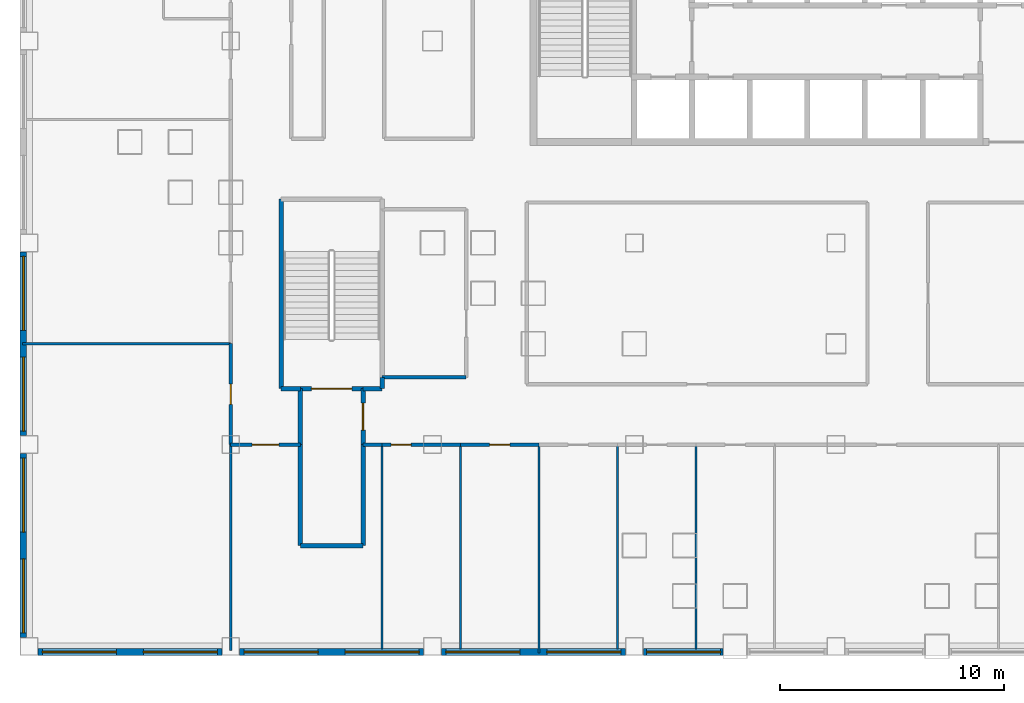
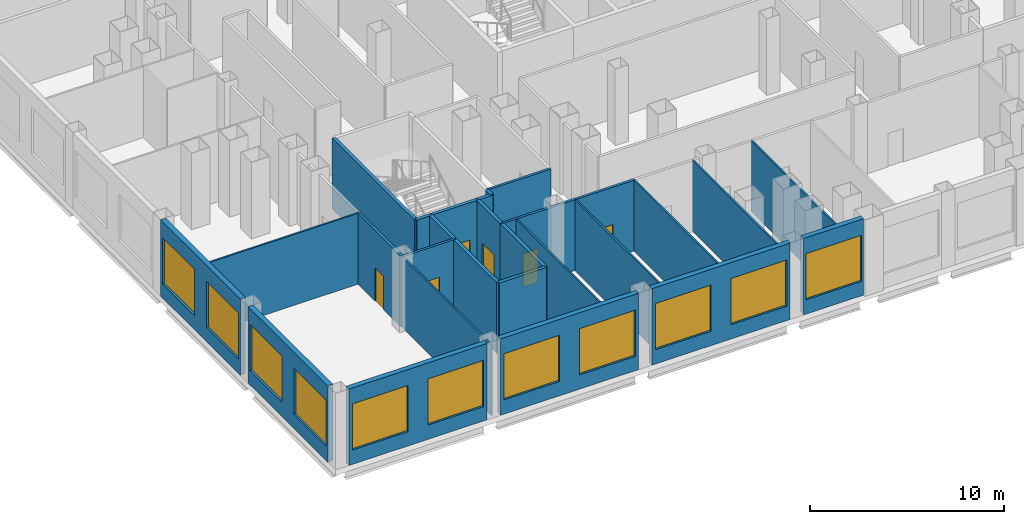
# One storey, part 2 of 23: 29 walls, 11 windows, 6 doors, 17 openings.
"""IFC4 building model written with IfcOpenShell, lengths in metres."""

from ifc_helpers import new_model, si_unit, direction, frame, frame_2d, origin, place, context, subcontext, project, spatial, rectangle, extrude, material, layer, layer_set, type_object, element, fill, save


model = new_model("IFC4")

# Units and contexts
model_context = context("Model", 3, precision=1e-05, world=origin(), true_north=direction((0.0, 1.0)))
body_context = subcontext(model_context, "Body", "Model", "MODEL_VIEW")
ifc_project = project(units=[si_unit("LENGTHUNIT", "METRE"), si_unit("AREAUNIT", "SQUARE_METRE"), si_unit("VOLUMEUNIT", "CUBIC_METRE"), si_unit("PLANEANGLEUNIT", "RADIAN"), si_unit("MASSUNIT", "GRAM", prefix="KILO")], contexts=[model_context])

# Site, building, storey
site_placement = place(None, origin())
site = spatial("IfcSite", under=ifc_project, at=site_placement, CompositionType="ELEMENT")
building_placement = place(site_placement, origin())
building = spatial("IfcBuilding", under=site, at=building_placement, Name="Caravel Reach Hotel and Residences", CompositionType="ELEMENT")
storey_placement = place(building_placement, frame((0.0, 0.0, 24.0)))
storey = spatial("IfcBuildingStorey", under=building, at=storey_placement, Name="L04", CompositionType="ELEMENT", Elevation=24.0)

# Wall
ifc_material_1 = material(Name="Autoclaved aerated block wall")
ifc_layer_1 = layer(ifc_material_1, 0.199951171875)
ifc_layer_set_1 = layer_set([ifc_layer_1], Name="Compartment wall 200 mm EI 120")
wall_type_1 = type_object("IfcWallType", Name="Compartment wall 200 mm EI 120", PredefinedType="PARTITIONING", material=ifc_layer_set_1)
wall_1_placement = place(storey_placement, frame((7.60009765625, 4.5, 0.0), z_axis=(0.0, 0.0, 1.0), x_axis=(1.0, 0.0, 0.0)))
element("IfcWall", 1, at=wall_1_placement, inside=storey, type_object=wall_type_1, Name="L04 wall w100", PredefinedType="PARTITIONING", context=body_context, shape_type="SweptSolid", body=[
    extrude(rectangle(XDim=2.7998046875, YDim=0.199951171875, at=frame_2d((1.39990234375, 0.0))), origin(), (0.0, 0.0, 1.0), 4.449951171875),
])

# Wall, opening, door
wall_2_placement = place(storey_placement, frame((10.39990234375, 9.0, 0.0), z_axis=(0.0, 0.0, 1.0), x_axis=(0.0, 1.0, 0.0)))
wall_2 = element("IfcWall", 2, at=wall_2_placement, inside=storey, type_object=wall_type_1, Name="L04 wall w111", PredefinedType="PARTITIONING", context=body_context, shape_type="SweptSolid", body=[
    extrude(rectangle(XDim=2.5, YDim=0.199951171875, at=frame_2d((1.25, 0.0))), origin(), (0.0, 0.0, 1.0), 4.449951171875),
])
opening_1_placement = place(wall_2_placement, frame((0.64990234375, 0.0, 0.0)))
opening_1 = element("IfcOpeningElement", 3, at=opening_1_placement, cuts=wall_2, Name="Opening D04-018", PredefinedType="OPENING", context=body_context, shape_type="SweptSolid", body=[
    extrude(rectangle(XDim=1.199951171875, YDim=2.10009765625, at=frame_2d((0.60009765625, 1.050048828125))), frame((0.0, 0.10986328125, 0.0), z_axis=(0.0, -1.0, 0.0), x_axis=(1.0, 0.0, 0.0)), (0.0, 0.0, 1.0), 0.219970703125),
])
ifc_material_2 = material(Name="Steel fire door leaf", Category="steel")
door_type_1 = type_object("IfcDoorType", Name="Fire lobby door 1200 x 2100 EI 90", OperationType="SINGLE_SWING_LEFT", PredefinedType="DOOR", material=ifc_material_2)
door_1_placement = place(opening_1_placement, origin())
door_1 = element("IfcDoor", 4, at=door_1_placement, inside=storey, type_object=door_type_1, Name="door D04-018", OperationType="SINGLE_SWING_LEFT", OverallHeight=2.10009765625, OverallWidth=1.199951171875, PredefinedType="DOOR", context=body_context, shape_type="SweptSolid", body=[
    extrude(rectangle(XDim=1.199951171875, YDim=2.10009765625, at=frame_2d((0.60009765625, 1.050048828125))), frame((0.0, 0.02490234375, 0.0), z_axis=(0.0, -1.0, 0.0), x_axis=(1.0, 0.0, 0.0)), (0.0, 0.0, 1.0), 0.050048828125),
])
fill(opening_1, door_1)

# Walls
wall_3_placement = place(storey_placement, frame((10.39990234375, 4.5, 0.0), z_axis=(0.0, 0.0, 1.0), x_axis=(0.0, 1.0, 0.0)))
element("IfcWall", 5, at=wall_3_placement, inside=storey, type_object=wall_type_1, Name="L04 wall w112", PredefinedType="PARTITIONING", context=body_context, shape_type="SweptSolid", body=[
    extrude(rectangle(XDim=4.5, YDim=0.199951171875, at=frame_2d((2.25, 0.0))), origin(), (0.0, 0.0, 1.0), 4.449951171875),
])
wall_4_placement = place(storey_placement, frame((7.60009765625, 9.0, 0.0), z_axis=(0.0, 0.0, 1.0), x_axis=(0.0, 1.0, 0.0)))
element("IfcWall", 6, at=wall_4_placement, inside=storey, type_object=wall_type_1, Name="L04 wall w129", PredefinedType="PARTITIONING", context=body_context, shape_type="SweptSolid", body=[
    extrude(rectangle(XDim=2.5, YDim=0.199951171875, at=frame_2d((1.25, 0.0))), origin(), (0.0, 0.0, 1.0), 4.449951171875),
])
wall_5_placement = place(storey_placement, frame((7.60009765625, 4.5, 0.0), z_axis=(0.0, 0.0, 1.0), x_axis=(0.0, 1.0, 0.0)))
element("IfcWall", 7, at=wall_5_placement, inside=storey, type_object=wall_type_1, Name="L04 wall w130", PredefinedType="PARTITIONING", context=body_context, shape_type="SweptSolid", body=[
    extrude(rectangle(XDim=4.5, YDim=0.199951171875, at=frame_2d((2.25, 0.0))), origin(), (0.0, 0.0, 1.0), 4.449951171875),
])
ifc_material_3 = material(Name="Gypsum board on steel stud, fire-rated", Category="steel")
ifc_layer_2 = layer(ifc_material_3, 0.14990234375)
ifc_layer_set_2 = layer_set([ifc_layer_2], Name="Corridor wall 150 mm EI 60")
wall_type_2 = type_object("IfcWallType", Name="Corridor wall 150 mm EI 60", PredefinedType="PARTITIONING", material=ifc_layer_set_2)
wall_6_placement = place(storey_placement, frame((11.25, 12.0, 0.0), z_axis=(0.0, 0.0, 1.0), x_axis=(1.0, 0.0, 0.0)))
element("IfcWall", 8, at=wall_6_placement, inside=storey, type_object=wall_type_2, Name="L04 wall w003", PredefinedType="PARTITIONING", context=body_context, shape_type="SweptSolid", body=[
    extrude(rectangle(XDim=3.75, YDim=0.14990234375, at=frame_2d((1.875, 0.0))), origin(), (0.0, 0.0, 1.0), 4.449951171875),
])

# Wall, opening, door
wall_7_placement = place(storey_placement, frame((4.5, 9.0, 0.0), z_axis=(0.0, 0.0, 1.0), x_axis=(1.0, 0.0, 0.0)))
wall_7 = element("IfcWall", 9, at=wall_7_placement, inside=storey, type_object=wall_type_2, Name="L04 wall w022", PredefinedType="PARTITIONING", context=body_context, shape_type="SweptSolid", body=[
    extrude(rectangle(XDim=3.10009765625, YDim=0.14990234375, at=frame_2d((1.550048828125, 0.0))), origin(), (0.0, 0.0, 1.0), 4.449951171875),
])
opening_2_placement = place(wall_7_placement, frame((0.949951171875, 0.0, 0.0)))
opening_2 = element("IfcOpeningElement", 10, at=opening_2_placement, cuts=wall_7, Name="Opening D04-040", PredefinedType="OPENING", context=body_context, shape_type="SweptSolid", body=[
    extrude(rectangle(XDim=1.199951171875, YDim=2.39990234375, at=frame_2d((0.60009765625, 1.199951171875))), frame((0.0, 0.0849609375, 0.0), z_axis=(0.0, -1.0, 0.0), x_axis=(1.0, 0.0, 0.0)), (0.0, 0.0, 1.0), 0.169921875),
])
ifc_material_4 = material(Name="Timber and steel door leaf", Category="steel")
door_type_2 = type_object("IfcDoorType", Name="Glazed door 1200 x 2400", OperationType="SINGLE_SWING_LEFT", PredefinedType="DOOR", material=ifc_material_4)
door_2_placement = place(opening_2_placement, origin())
door_2 = element("IfcDoor", 11, at=door_2_placement, inside=storey, type_object=door_type_2, Name="door D04-040", OperationType="SINGLE_SWING_RIGHT", OverallHeight=2.39990234375, OverallWidth=1.199951171875, PredefinedType="DOOR", context=body_context, shape_type="SweptSolid", body=[
    extrude(rectangle(XDim=1.199951171875, YDim=2.39990234375, at=frame_2d((0.60009765625, 1.199951171875))), frame((0.0, 0.02490234375, 0.0), z_axis=(0.0, -1.0, 0.0), x_axis=(1.0, 0.0, 0.0)), (0.0, 0.0, 1.0), 0.050048828125),
])
fill(opening_2, door_2)

# Wall
wall_8_placement = place(storey_placement, frame((10.39990234375, 9.0, 0.0), z_axis=(0.0, 0.0, 1.0), x_axis=(1.0, 0.0, 0.0)))
element("IfcWall", 12, at=wall_8_placement, inside=storey, type_object=wall_type_2, Name="L04 wall w023", PredefinedType="PARTITIONING", context=body_context, shape_type="SweptSolid", body=[
    extrude(rectangle(XDim=0.85009765625, YDim=0.14990234375, at=frame_2d((0.425048828125, 0.0))), origin(), (0.0, 0.0, 1.0), 4.449951171875),
])

# Wall, opening, door
wall_9_placement = place(storey_placement, frame((11.25, 9.0, 0.0), z_axis=(0.0, 0.0, 1.0), x_axis=(1.0, 0.0, 0.0)))
wall_9 = element("IfcWall", 13, at=wall_9_placement, inside=storey, type_object=wall_type_2, Name="L04 wall w024", PredefinedType="PARTITIONING", context=body_context, shape_type="SweptSolid", body=[
    extrude(rectangle(XDim=3.5, YDim=0.14990234375, at=frame_2d((1.75, 0.0))), origin(), (0.0, 0.0, 1.0), 4.449951171875),
])
opening_3_placement = place(wall_9_placement, frame((0.39990234375, 0.0, 0.0)))
opening_3 = element("IfcOpeningElement", 14, at=opening_3_placement, cuts=wall_9, Name="Opening D04-041", PredefinedType="OPENING", context=body_context, shape_type="SweptSolid", body=[
    extrude(rectangle(XDim=0.89990234375, YDim=2.10009765625, at=frame_2d((0.449951171875, 1.050048828125))), frame((0.0, 0.0849609375, 0.0), z_axis=(0.0, -1.0, 0.0), x_axis=(1.0, 0.0, 0.0)), (0.0, 0.0, 1.0), 0.169921875),
])
ifc_material_5 = material(Name="Timber and steel door leaf", Category="steel")
door_type_3 = type_object("IfcDoorType", Name="Door 900 x 2100 timber", OperationType="SINGLE_SWING_LEFT", PredefinedType="DOOR", material=ifc_material_5)
door_3_placement = place(opening_3_placement, origin())
door_3 = element("IfcDoor", 15, at=door_3_placement, inside=storey, type_object=door_type_3, Name="door D04-041", OperationType="SINGLE_SWING_LEFT", OverallHeight=2.10009765625, OverallWidth=0.89990234375, PredefinedType="DOOR", context=body_context, shape_type="SweptSolid", body=[
    extrude(rectangle(XDim=0.89990234375, YDim=2.10009765625, at=frame_2d((0.449951171875, 1.050048828125))), frame((0.0, 0.02490234375, 0.0), z_axis=(0.0, -1.0, 0.0), x_axis=(1.0, 0.0, 0.0)), (0.0, 0.0, 1.0), 0.050048828125),
])
fill(opening_3, door_3)

wall_10_placement = place(storey_placement, frame((14.75, 9.0, 0.0), z_axis=(0.0, 0.0, 1.0), x_axis=(1.0, 0.0, 0.0)))
wall_10 = element("IfcWall", 16, at=wall_10_placement, inside=storey, type_object=wall_type_2, Name="L04 wall w025", PredefinedType="PARTITIONING", context=body_context, shape_type="SweptSolid", body=[
    extrude(rectangle(XDim=3.5, YDim=0.14990234375, at=frame_2d((1.75, 0.0))), origin(), (0.0, 0.0, 1.0), 4.449951171875),
])
opening_4_placement = place(wall_10_placement, frame((1.300048828125, 0.0, 0.0)))
opening_4 = element("IfcOpeningElement", 17, at=opening_4_placement, cuts=wall_10, Name="Opening D04-042", PredefinedType="OPENING", context=body_context, shape_type="SweptSolid", body=[
    extrude(rectangle(XDim=0.89990234375, YDim=2.10009765625, at=frame_2d((0.449951171875, 1.050048828125))), frame((0.0, 0.0849609375, 0.0), z_axis=(0.0, -1.0, 0.0), x_axis=(1.0, 0.0, 0.0)), (0.0, 0.0, 1.0), 0.169921875),
])
door_4_placement = place(opening_4_placement, origin())
door_4 = element("IfcDoor", 18, at=door_4_placement, inside=storey, type_object=door_type_3, Name="door D04-042", OperationType="SINGLE_SWING_LEFT", OverallHeight=2.10009765625, OverallWidth=0.89990234375, PredefinedType="DOOR", context=body_context, shape_type="SweptSolid", body=[
    extrude(rectangle(XDim=0.89990234375, YDim=2.10009765625, at=frame_2d((0.449951171875, 1.050048828125))), frame((0.0, 0.02490234375, 0.0), z_axis=(0.0, -1.0, 0.0), x_axis=(1.0, 0.0, 0.0)), (0.0, 0.0, 1.0), 0.050048828125),
])
fill(opening_4, door_4)

wall_11_placement = place(storey_placement, frame((4.5, 9.0, 0.0), z_axis=(0.0, 0.0, 1.0), x_axis=(0.0, 1.0, 0.0)))
wall_11 = element("IfcWall", 19, at=wall_11_placement, inside=storey, type_object=wall_type_2, Name="L04 wall w043", PredefinedType="PARTITIONING", context=body_context, shape_type="SweptSolid", body=[
    extrude(rectangle(XDim=4.5, YDim=0.14990234375, at=frame_2d((2.25, 0.0))), origin(), (0.0, 0.0, 1.0), 4.449951171875),
])
opening_5_placement = place(wall_11_placement, frame((1.800048828125, 0.0, 0.0)))
opening_5 = element("IfcOpeningElement", 20, at=opening_5_placement, cuts=wall_11, Name="Opening D04-028", PredefinedType="OPENING", context=body_context, shape_type="SweptSolid", body=[
    extrude(rectangle(XDim=0.89990234375, YDim=2.10009765625, at=frame_2d((0.449951171875, 1.050048828125))), frame((0.0, 0.0849609375, 0.0), z_axis=(0.0, -1.0, 0.0), x_axis=(1.0, 0.0, 0.0)), (0.0, 0.0, 1.0), 0.169921875),
])
door_5_placement = place(opening_5_placement, origin())
door_5 = element("IfcDoor", 21, at=door_5_placement, inside=storey, type_object=door_type_3, Name="door D04-028", OperationType="SINGLE_SWING_RIGHT", OverallHeight=2.10009765625, OverallWidth=0.89990234375, PredefinedType="DOOR", context=body_context, shape_type="SweptSolid", body=[
    extrude(rectangle(XDim=0.89990234375, YDim=2.10009765625, at=frame_2d((0.449951171875, 1.050048828125))), frame((0.0, 0.02490234375, 0.0), z_axis=(0.0, -1.0, 0.0), x_axis=(1.0, 0.0, 0.0)), (0.0, 0.0, 1.0), 0.050048828125),
])
fill(opening_5, door_5)

# Wall, openings, windows
ifc_material_6 = material(Name="Insulated wall, stone cladding", Category="masonry")
ifc_layer_3 = layer(ifc_material_6, 0.300048828125)
ifc_layer_set_3 = layer_set([ifc_layer_3], Name="EW2 Podium stone-clad wall")
wall_type_3 = type_object("IfcWallType", Name="EW2 Podium stone-clad wall", PredefinedType="SOLIDWALL", material=ifc_layer_set_3)
wall_12_placement = place(storey_placement, frame((-4.75, 17.60009765625, 0.0), z_axis=(0.0, 0.0, 1.0), x_axis=(0.0, -1.0, 0.0)))
wall_12 = element("IfcWall", 22, at=wall_12_placement, inside=storey, type_object=wall_type_3, Name="External wall L04 W3.5", PredefinedType="SOLIDWALL", context=body_context, shape_type="SweptSolid", body=[
    extrude(rectangle(XDim=8.2001953125, YDim=0.300048828125, at=frame_2d((4.10009765625, 0.0))), origin(), (0.0, 0.0, 1.0), 4.800048828125),
])
opening_6_placement = place(wall_12_placement, frame((0.199951171875, 0.0, 0.89990234375)))
opening_6 = element("IfcOpeningElement", 23, at=opening_6_placement, cuts=wall_12, Name="Opening WN32", PredefinedType="OPENING", context=body_context, shape_type="SweptSolid", body=[
    extrude(rectangle(XDim=3.300048828125, YDim=2.89990234375, at=frame_2d((1.64990234375, 1.449951171875))), frame((0.0, 0.159912109375, 0.0), z_axis=(0.0, -1.0, 0.0), x_axis=(1.0, 0.0, 0.0)), (0.0, 0.0, 1.0), 0.320068359375),
])
opening_7_placement = place(wall_12_placement, frame((4.699951171875, 0.0, 0.89990234375)))
opening_7 = element("IfcOpeningElement", 24, at=opening_7_placement, cuts=wall_12, Name="Opening WN32", PredefinedType="OPENING", context=body_context, shape_type="SweptSolid", body=[
    extrude(rectangle(XDim=3.300048828125, YDim=2.89990234375, at=frame_2d((1.64990234375, 1.449951171875))), frame((0.0, 0.159912109375, 0.0), z_axis=(0.0, -1.0, 0.0), x_axis=(1.0, 0.0, 0.0)), (0.0, 0.0, 1.0), 0.320068359375),
])
ifc_material_7 = material(Name="Dark low-e glazing in black aluminium frame", Category="aluminium")
window_type = type_object("IfcWindowType", Name="Podium window 3300 x 2900", PartitioningType="SINGLE_PANEL", PredefinedType="WINDOW", material=ifc_material_7)
window_1_placement = place(opening_6_placement, origin())
window_1 = element("IfcWindow", 25, at=window_1_placement, inside=storey, type_object=window_type, Name="Window L04 W3.5.1", OverallHeight=2.89990234375, OverallWidth=3.300048828125, PartitioningType="SINGLE_PANEL", PredefinedType="WINDOW", context=body_context, shape_type="SweptSolid", body=[
    extrude(rectangle(XDim=3.300048828125, YDim=2.89990234375, at=frame_2d((1.64990234375, 1.449951171875))), frame((0.0, 0.030029296875, 0.0), z_axis=(0.0, -1.0, 0.0), x_axis=(1.0, 0.0, 0.0)), (0.0, 0.0, 1.0), 0.06005859375),
])
fill(opening_6, window_1)
window_2_placement = place(opening_7_placement, origin())
window_2 = element("IfcWindow", 26, at=window_2_placement, inside=storey, type_object=window_type, Name="Window L04 W3.5.2", OverallHeight=2.89990234375, OverallWidth=3.300048828125, PartitioningType="SINGLE_PANEL", PredefinedType="WINDOW", context=body_context, shape_type="SweptSolid", body=[
    extrude(rectangle(XDim=3.300048828125, YDim=2.89990234375, at=frame_2d((1.64990234375, 1.449951171875))), frame((0.0, 0.030029296875, 0.0), z_axis=(0.0, -1.0, 0.0), x_axis=(1.0, 0.0, 0.0)), (0.0, 0.0, 1.0), 0.06005859375),
])
fill(opening_7, window_2)

wall_13_placement = place(storey_placement, frame((-4.75, 8.60009765625, 0.0), z_axis=(0.0, 0.0, 1.0), x_axis=(0.0, -1.0, 0.0)))
wall_13 = element("IfcWall", 27, at=wall_13_placement, inside=storey, type_object=wall_type_3, Name="External wall L04 W3.6", PredefinedType="SOLIDWALL", context=body_context, shape_type="SweptSolid", body=[
    extrude(rectangle(XDim=8.2001953125, YDim=0.300048828125, at=frame_2d((4.10009765625, 0.0))), origin(), (0.0, 0.0, 1.0), 4.800048828125),
])
opening_8_placement = place(wall_13_placement, frame((0.199951171875, 0.0, 0.89990234375)))
opening_8 = element("IfcOpeningElement", 28, at=opening_8_placement, cuts=wall_13, Name="Opening WN32", PredefinedType="OPENING", context=body_context, shape_type="SweptSolid", body=[
    extrude(rectangle(XDim=3.300048828125, YDim=2.89990234375, at=frame_2d((1.64990234375, 1.449951171875))), frame((0.0, 0.159912109375, 0.0), z_axis=(0.0, -1.0, 0.0), x_axis=(1.0, 0.0, 0.0)), (0.0, 0.0, 1.0), 0.320068359375),
])
opening_9_placement = place(wall_13_placement, frame((4.699951171875, 0.0, 0.89990234375)))
opening_9 = element("IfcOpeningElement", 29, at=opening_9_placement, cuts=wall_13, Name="Opening WN32", PredefinedType="OPENING", context=body_context, shape_type="SweptSolid", body=[
    extrude(rectangle(XDim=3.300048828125, YDim=2.89990234375, at=frame_2d((1.64990234375, 1.449951171875))), frame((0.0, 0.159912109375, 0.0), z_axis=(0.0, -1.0, 0.0), x_axis=(1.0, 0.0, 0.0)), (0.0, 0.0, 1.0), 0.320068359375),
])
window_3_placement = place(opening_8_placement, origin())
window_3 = element("IfcWindow", 30, at=window_3_placement, inside=storey, type_object=window_type, Name="Window L04 W3.6.1", OverallHeight=2.89990234375, OverallWidth=3.300048828125, PartitioningType="SINGLE_PANEL", PredefinedType="WINDOW", context=body_context, shape_type="SweptSolid", body=[
    extrude(rectangle(XDim=3.300048828125, YDim=2.89990234375, at=frame_2d((1.64990234375, 1.449951171875))), frame((0.0, 0.030029296875, 0.0), z_axis=(0.0, -1.0, 0.0), x_axis=(1.0, 0.0, 0.0)), (0.0, 0.0, 1.0), 0.06005859375),
])
fill(opening_8, window_3)
window_4_placement = place(opening_9_placement, origin())
window_4 = element("IfcWindow", 31, at=window_4_placement, inside=storey, type_object=window_type, Name="Window L04 W3.6.2", OverallHeight=2.89990234375, OverallWidth=3.300048828125, PartitioningType="SINGLE_PANEL", PredefinedType="WINDOW", context=body_context, shape_type="SweptSolid", body=[
    extrude(rectangle(XDim=3.300048828125, YDim=2.89990234375, at=frame_2d((1.64990234375, 1.449951171875))), frame((0.0, 0.030029296875, 0.0), z_axis=(0.0, -1.0, 0.0), x_axis=(1.0, 0.0, 0.0)), (0.0, 0.0, 1.0), 0.06005859375),
])
fill(opening_9, window_4)

wall_14_placement = place(storey_placement, frame((-4.10009765625, -0.25, 0.0), z_axis=(0.0, 0.0, 1.0), x_axis=(1.0, 0.0, 0.0)))
wall_14 = element("IfcWall", 32, at=wall_14_placement, inside=storey, type_object=wall_type_3, Name="External wall L04 S4.1", PredefinedType="SOLIDWALL", context=body_context, shape_type="SweptSolid", body=[
    extrude(rectangle(XDim=8.2001953125, YDim=0.300048828125, at=frame_2d((4.10009765625, 0.0))), origin(), (0.0, 0.0, 1.0), 4.800048828125),
])
opening_10_placement = place(wall_14_placement, frame((0.199951171875, 0.0, 0.89990234375)))
opening_10 = element("IfcOpeningElement", 33, at=opening_10_placement, cuts=wall_14, Name="Opening WN32", PredefinedType="OPENING", context=body_context, shape_type="SweptSolid", body=[
    extrude(rectangle(XDim=3.300048828125, YDim=2.89990234375, at=frame_2d((1.64990234375, 1.449951171875))), frame((0.0, 0.159912109375, 0.0), z_axis=(0.0, -1.0, 0.0), x_axis=(1.0, 0.0, 0.0)), (0.0, 0.0, 1.0), 0.320068359375),
])
opening_11_placement = place(wall_14_placement, frame((4.699951171875, 0.0, 0.89990234375)))
opening_11 = element("IfcOpeningElement", 34, at=opening_11_placement, cuts=wall_14, Name="Opening WN32", PredefinedType="OPENING", context=body_context, shape_type="SweptSolid", body=[
    extrude(rectangle(XDim=3.300048828125, YDim=2.89990234375, at=frame_2d((1.64990234375, 1.449951171875))), frame((0.0, 0.159912109375, 0.0), z_axis=(0.0, -1.0, 0.0), x_axis=(1.0, 0.0, 0.0)), (0.0, 0.0, 1.0), 0.320068359375),
])
window_5_placement = place(opening_10_placement, origin())
window_5 = element("IfcWindow", 35, at=window_5_placement, inside=storey, type_object=window_type, Name="Window L04 S4.1.1", OverallHeight=2.89990234375, OverallWidth=3.300048828125, PartitioningType="SINGLE_PANEL", PredefinedType="WINDOW", context=body_context, shape_type="SweptSolid", body=[
    extrude(rectangle(XDim=3.300048828125, YDim=2.89990234375, at=frame_2d((1.64990234375, 1.449951171875))), frame((0.0, 0.030029296875, 0.0), z_axis=(0.0, -1.0, 0.0), x_axis=(1.0, 0.0, 0.0)), (0.0, 0.0, 1.0), 0.06005859375),
])
fill(opening_10, window_5)
window_6_placement = place(opening_11_placement, origin())
window_6 = element("IfcWindow", 36, at=window_6_placement, inside=storey, type_object=window_type, Name="Window L04 S4.1.2", OverallHeight=2.89990234375, OverallWidth=3.300048828125, PartitioningType="SINGLE_PANEL", PredefinedType="WINDOW", context=body_context, shape_type="SweptSolid", body=[
    extrude(rectangle(XDim=3.300048828125, YDim=2.89990234375, at=frame_2d((1.64990234375, 1.449951171875))), frame((0.0, 0.030029296875, 0.0), z_axis=(0.0, -1.0, 0.0), x_axis=(1.0, 0.0, 0.0)), (0.0, 0.0, 1.0), 0.06005859375),
])
fill(opening_11, window_6)

wall_15_placement = place(storey_placement, frame((4.89990234375, -0.25, 0.0), z_axis=(0.0, 0.0, 1.0), x_axis=(1.0, 0.0, 0.0)))
wall_15 = element("IfcWall", 37, at=wall_15_placement, inside=storey, type_object=wall_type_3, Name="External wall L04 S4.2", PredefinedType="SOLIDWALL", context=body_context, shape_type="SweptSolid", body=[
    extrude(rectangle(XDim=8.2001953125, YDim=0.300048828125, at=frame_2d((4.10009765625, 0.0))), origin(), (0.0, 0.0, 1.0), 4.800048828125),
])
opening_12_placement = place(wall_15_placement, frame((0.199951171875, 0.0, 0.89990234375)))
opening_12 = element("IfcOpeningElement", 38, at=opening_12_placement, cuts=wall_15, Name="Opening WN32", PredefinedType="OPENING", context=body_context, shape_type="SweptSolid", body=[
    extrude(rectangle(XDim=3.300048828125, YDim=2.89990234375, at=frame_2d((1.64990234375, 1.449951171875))), frame((0.0, 0.159912109375, 0.0), z_axis=(0.0, -1.0, 0.0), x_axis=(1.0, 0.0, 0.0)), (0.0, 0.0, 1.0), 0.320068359375),
])
opening_13_placement = place(wall_15_placement, frame((4.699951171875, 0.0, 0.89990234375)))
opening_13 = element("IfcOpeningElement", 39, at=opening_13_placement, cuts=wall_15, Name="Opening WN32", PredefinedType="OPENING", context=body_context, shape_type="SweptSolid", body=[
    extrude(rectangle(XDim=3.300048828125, YDim=2.89990234375, at=frame_2d((1.64990234375, 1.449951171875))), frame((0.0, 0.159912109375, 0.0), z_axis=(0.0, -1.0, 0.0), x_axis=(1.0, 0.0, 0.0)), (0.0, 0.0, 1.0), 0.320068359375),
])
window_7_placement = place(opening_12_placement, origin())
window_7 = element("IfcWindow", 40, at=window_7_placement, inside=storey, type_object=window_type, Name="Window L04 S4.2.1", OverallHeight=2.89990234375, OverallWidth=3.300048828125, PartitioningType="SINGLE_PANEL", PredefinedType="WINDOW", context=body_context, shape_type="SweptSolid", body=[
    extrude(rectangle(XDim=3.300048828125, YDim=2.89990234375, at=frame_2d((1.64990234375, 1.449951171875))), frame((0.0, 0.030029296875, 0.0), z_axis=(0.0, -1.0, 0.0), x_axis=(1.0, 0.0, 0.0)), (0.0, 0.0, 1.0), 0.06005859375),
])
fill(opening_12, window_7)
window_8_placement = place(opening_13_placement, origin())
window_8 = element("IfcWindow", 41, at=window_8_placement, inside=storey, type_object=window_type, Name="Window L04 S4.2.2", OverallHeight=2.89990234375, OverallWidth=3.300048828125, PartitioningType="SINGLE_PANEL", PredefinedType="WINDOW", context=body_context, shape_type="SweptSolid", body=[
    extrude(rectangle(XDim=3.300048828125, YDim=2.89990234375, at=frame_2d((1.64990234375, 1.449951171875))), frame((0.0, 0.030029296875, 0.0), z_axis=(0.0, -1.0, 0.0), x_axis=(1.0, 0.0, 0.0)), (0.0, 0.0, 1.0), 0.06005859375),
])
fill(opening_13, window_8)

wall_16_placement = place(storey_placement, frame((13.89990234375, -0.25, 0.0), z_axis=(0.0, 0.0, 1.0), x_axis=(1.0, 0.0, 0.0)))
wall_16 = element("IfcWall", 42, at=wall_16_placement, inside=storey, type_object=wall_type_3, Name="External wall L04 S4.3", PredefinedType="SOLIDWALL", context=body_context, shape_type="SweptSolid", body=[
    extrude(rectangle(XDim=8.2001953125, YDim=0.300048828125, at=frame_2d((4.10009765625, 0.0))), origin(), (0.0, 0.0, 1.0), 4.800048828125),
])
opening_14_placement = place(wall_16_placement, frame((0.199951171875, 0.0, 0.89990234375)))
opening_14 = element("IfcOpeningElement", 43, at=opening_14_placement, cuts=wall_16, Name="Opening WN32", PredefinedType="OPENING", context=body_context, shape_type="SweptSolid", body=[
    extrude(rectangle(XDim=3.300048828125, YDim=2.89990234375, at=frame_2d((1.64990234375, 1.449951171875))), frame((0.0, 0.159912109375, 0.0), z_axis=(0.0, -1.0, 0.0), x_axis=(1.0, 0.0, 0.0)), (0.0, 0.0, 1.0), 0.320068359375),
])
opening_15_placement = place(wall_16_placement, frame((4.699951171875, 0.0, 0.89990234375)))
opening_15 = element("IfcOpeningElement", 44, at=opening_15_placement, cuts=wall_16, Name="Opening WN32", PredefinedType="OPENING", context=body_context, shape_type="SweptSolid", body=[
    extrude(rectangle(XDim=3.300048828125, YDim=2.89990234375, at=frame_2d((1.64990234375, 1.449951171875))), frame((0.0, 0.159912109375, 0.0), z_axis=(0.0, -1.0, 0.0), x_axis=(1.0, 0.0, 0.0)), (0.0, 0.0, 1.0), 0.320068359375),
])
window_9_placement = place(opening_14_placement, origin())
window_9 = element("IfcWindow", 45, at=window_9_placement, inside=storey, type_object=window_type, Name="Window L04 S4.3.1", OverallHeight=2.89990234375, OverallWidth=3.300048828125, PartitioningType="SINGLE_PANEL", PredefinedType="WINDOW", context=body_context, shape_type="SweptSolid", body=[
    extrude(rectangle(XDim=3.300048828125, YDim=2.89990234375, at=frame_2d((1.64990234375, 1.449951171875))), frame((0.0, 0.030029296875, 0.0), z_axis=(0.0, -1.0, 0.0), x_axis=(1.0, 0.0, 0.0)), (0.0, 0.0, 1.0), 0.06005859375),
])
fill(opening_14, window_9)
window_10_placement = place(opening_15_placement, origin())
window_10 = element("IfcWindow", 46, at=window_10_placement, inside=storey, type_object=window_type, Name="Window L04 S4.3.2", OverallHeight=2.89990234375, OverallWidth=3.300048828125, PartitioningType="SINGLE_PANEL", PredefinedType="WINDOW", context=body_context, shape_type="SweptSolid", body=[
    extrude(rectangle(XDim=3.300048828125, YDim=2.89990234375, at=frame_2d((1.64990234375, 1.449951171875))), frame((0.0, 0.030029296875, 0.0), z_axis=(0.0, -1.0, 0.0), x_axis=(1.0, 0.0, 0.0)), (0.0, 0.0, 1.0), 0.06005859375),
])
fill(opening_15, window_10)

# Wall, opening, window
wall_17_placement = place(storey_placement, frame((22.89990234375, -0.25, 0.0), z_axis=(0.0, 0.0, 1.0), x_axis=(1.0, 0.0, 0.0)))
wall_17 = element("IfcWall", 47, at=wall_17_placement, inside=storey, type_object=wall_type_3, Name="External wall L04 S4.4", PredefinedType="SOLIDWALL", context=body_context, shape_type="SweptSolid", body=[
    extrude(rectangle(XDim=3.550048828125, YDim=0.300048828125, at=frame_2d((1.77490234375, 0.0))), origin(), (0.0, 0.0, 1.0), 4.800048828125),
])
opening_16_placement = place(wall_17_placement, frame((0.14990234375, 0.0, 0.89990234375)))
opening_16 = element("IfcOpeningElement", 48, at=opening_16_placement, cuts=wall_17, Name="Opening WN32", PredefinedType="OPENING", context=body_context, shape_type="SweptSolid", body=[
    extrude(rectangle(XDim=3.300048828125, YDim=2.89990234375, at=frame_2d((1.64990234375, 1.449951171875))), frame((0.0, 0.159912109375, 0.0), z_axis=(0.0, -1.0, 0.0), x_axis=(1.0, 0.0, 0.0)), (0.0, 0.0, 1.0), 0.320068359375),
])
window_11_placement = place(opening_16_placement, origin())
window_11 = element("IfcWindow", 49, at=window_11_placement, inside=storey, type_object=window_type, Name="Window L04 S4.4.1", OverallHeight=2.89990234375, OverallWidth=3.300048828125, PartitioningType="SINGLE_PANEL", PredefinedType="WINDOW", context=body_context, shape_type="SweptSolid", body=[
    extrude(rectangle(XDim=3.300048828125, YDim=2.89990234375, at=frame_2d((1.64990234375, 1.449951171875))), frame((0.0, 0.030029296875, 0.0), z_axis=(0.0, -1.0, 0.0), x_axis=(1.0, 0.0, 0.0)), (0.0, 0.0, 1.0), 0.06005859375),
])
fill(opening_16, window_11)

# Walls
ifc_material_8 = material(Name="Gypsum board on steel stud", Category="steel")
ifc_layer_4 = layer(ifc_material_8, 0.10009765625)
ifc_layer_set_4 = layer_set([ifc_layer_4], Name="Partition 100 mm")
wall_type_4 = type_object("IfcWallType", Name="Partition 100 mm", PredefinedType="PARTITIONING", material=ifc_layer_set_4)
wall_18_placement = place(storey_placement, frame((-4.7900390625, 13.5, 0.0), z_axis=(0.0, 0.0, 1.0), x_axis=(1.0, 0.0, 0.0)))
element("IfcWall", 50, at=wall_18_placement, inside=storey, type_object=wall_type_4, Name="L04 wall w061", PredefinedType="PARTITIONING", context=body_context, shape_type="SweptSolid", body=[
    extrude(rectangle(XDim=9.2900390625, YDim=0.10009765625, at=frame_2d((4.64501953125, 0.0))), origin(), (0.0, 0.0, 1.0), 4.449951171875),
])
for number, where, z_axis, x_axis, name in (
    (51, (11.25, -0.1201171875, 0.0), (0.0, 0.0, 1.0), (0.0, 1.0, 0.0), "L04 wall w071"),
    (52, (14.75, -0.1201171875, 0.0), (0.0, 0.0, 1.0), (0.0, 1.0, 0.0), "L04 wall w072"),
):
    element("IfcWall", number, at=place(storey_placement, frame(where, z_axis=z_axis, x_axis=x_axis)), inside=storey, type_object=wall_type_4, Name=name, PredefinedType="PARTITIONING", context=body_context, shape_type="SweptSolid", body=[
        extrude(rectangle(XDim=9.1201171875, YDim=0.10009765625, at=frame_2d((4.56005859375, 0.0))), origin(), (0.0, 0.0, 1.0), 4.449951171875),
    ])
wall_19_placement = place(storey_placement, frame((18.25, -0.2900390625, 0.0), z_axis=(0.0, 0.0, 1.0), x_axis=(0.0, 1.0, 0.0)))
element("IfcWall", 53, at=wall_19_placement, inside=storey, type_object=wall_type_4, Name="L04 wall w074", PredefinedType="PARTITIONING", context=body_context, shape_type="SweptSolid", body=[
    extrude(rectangle(XDim=9.2900390625, YDim=0.10009765625, at=frame_2d((4.64501953125, 0.0))), origin(), (0.0, 0.0, 1.0), 4.449951171875),
])
for number, where, z_axis, x_axis, name in (
    (54, (21.75, -0.1201171875, 0.0), (0.0, 0.0, 1.0), (0.0, 1.0, 0.0), "L04 wall w075"),
    (55, (25.25, -0.1201171875, 0.0), (0.0, 0.0, 1.0), (0.0, 1.0, 0.0), "L04 wall w077"),
):
    element("IfcWall", number, at=place(storey_placement, frame(where, z_axis=z_axis, x_axis=x_axis)), inside=storey, type_object=wall_type_4, Name=name, PredefinedType="PARTITIONING", context=body_context, shape_type="SweptSolid", body=[
        extrude(rectangle(XDim=9.1201171875, YDim=0.10009765625, at=frame_2d((4.56005859375, 0.0))), origin(), (0.0, 0.0, 1.0), 4.449951171875),
    ])
wall_20_placement = place(storey_placement, frame((4.5, -0.18994140625, 0.0), z_axis=(0.0, 0.0, 1.0), x_axis=(0.0, 1.0, 0.0)))
element("IfcWall", 56, at=wall_20_placement, inside=storey, type_object=wall_type_4, Name="L04 wall w081", PredefinedType="PARTITIONING", context=body_context, shape_type="SweptSolid", body=[
    extrude(rectangle(XDim=9.18994140625, YDim=0.10009765625, at=frame_2d((4.594970703125, 0.0))), origin(), (0.0, 0.0, 1.0), 4.449951171875),
])
ifc_material_9 = material(Name="Concrete C60", Category="concrete")
ifc_layer_5 = layer(ifc_material_9, 0.199951171875)
ifc_layer_set_5 = layer_set([ifc_layer_5], Name="Stair enclosure wall 200 mm EI 120")
wall_type_5 = type_object("IfcWallType", Name="Stair enclosure wall 200 mm EI 120", PredefinedType="SHEAR", material=ifc_layer_set_5)
for number, where, z_axis, x_axis, name in (
    (57, (6.75, 11.5, 0.0), (0.0, 0.0, 1.0), (1.0, 0.0, 0.0), "L04 wall w131"),
    (58, (10.39990234375, 11.5, 0.0), (0.0, 0.0, 1.0), (1.0, 0.0, 0.0), "L04 wall w132"),
):
    element("IfcWall", number, at=place(storey_placement, frame(where, z_axis=z_axis, x_axis=x_axis)), inside=storey, type_object=wall_type_5, Name=name, PredefinedType="SHEAR", context=body_context, shape_type="SweptSolid", body=[
        extrude(rectangle(XDim=0.85009765625, YDim=0.199951171875, at=frame_2d((0.425048828125, 0.0))), origin(), (0.0, 0.0, 1.0), 4.449951171875),
    ])

# Wall, opening, door
wall_21_placement = place(storey_placement, frame((7.60009765625, 11.5, 0.0), z_axis=(0.0, 0.0, 1.0), x_axis=(1.0, 0.0, 0.0)))
wall_21 = element("IfcWall", 59, at=wall_21_placement, inside=storey, type_object=wall_type_5, Name="L04 wall w133", PredefinedType="SHEAR", context=body_context, shape_type="SweptSolid", body=[
    extrude(rectangle(XDim=2.7998046875, YDim=0.199951171875, at=frame_2d((1.39990234375, 0.0))), origin(), (0.0, 0.0, 1.0), 4.449951171875),
])
opening_17_placement = place(wall_21_placement, frame((0.5, 0.0, 0.0)))
opening_17 = element("IfcOpeningElement", 60, at=opening_17_placement, cuts=wall_21, Name="Opening D04-019", PredefinedType="OPENING", context=body_context, shape_type="SweptSolid", body=[
    extrude(rectangle(XDim=1.800048828125, YDim=2.10009765625, at=frame_2d((0.89990234375, 1.050048828125))), frame((0.0, 0.10986328125, 0.0), z_axis=(0.0, -1.0, 0.0), x_axis=(1.0, 0.0, 0.0)), (0.0, 0.0, 1.0), 0.219970703125),
])
ifc_material_10 = material(Name="Steel fire door leaf", Category="steel")
door_type_4 = type_object("IfcDoorType", Name="Stair door pair 1800 x 2100 EI 90", OperationType="DOUBLE_DOOR_SINGLE_SWING", PredefinedType="DOOR", material=ifc_material_10)
door_6_placement = place(opening_17_placement, origin())
door_6 = element("IfcDoor", 61, at=door_6_placement, inside=storey, type_object=door_type_4, Name="door D04-019", OperationType="DOUBLE_DOOR_SINGLE_SWING", OverallHeight=2.10009765625, OverallWidth=1.800048828125, PredefinedType="DOOR", context=body_context, shape_type="SweptSolid", body=[
    extrude(rectangle(XDim=1.800048828125, YDim=2.10009765625, at=frame_2d((0.89990234375, 1.050048828125))), frame((0.0, 0.02490234375, 0.0), z_axis=(0.0, -1.0, 0.0), x_axis=(1.0, 0.0, 0.0)), (0.0, 0.0, 1.0), 0.050048828125),
])
fill(opening_17, door_6)

# Walls
wall_22_placement = place(storey_placement, frame((11.25, 11.5, 0.0), z_axis=(0.0, 0.0, 1.0), x_axis=(0.0, 1.0, 0.0)))
element("IfcWall", 62, at=wall_22_placement, inside=storey, type_object=wall_type_5, Name="L04 wall w155", PredefinedType="SHEAR", context=body_context, shape_type="SweptSolid", body=[
    extrude(rectangle(XDim=0.5, YDim=0.199951171875, at=frame_2d((0.25, 0.0))), origin(), (0.0, 0.0, 1.0), 4.449951171875),
])
wall_23_placement = place(storey_placement, frame((6.75, 11.5, 0.0), z_axis=(0.0, 0.0, 1.0), x_axis=(0.0, 1.0, 0.0)))
element("IfcWall", 63, at=wall_23_placement, inside=storey, type_object=wall_type_5, Name="L04 wall w164", PredefinedType="SHEAR", context=body_context, shape_type="SweptSolid", body=[
    extrude(rectangle(XDim=8.449951171875, YDim=0.199951171875, at=frame_2d((4.22509765625, 0.0))), origin(), (0.0, 0.0, 1.0), 4.449951171875),
])

save(model, "model.ifc")
